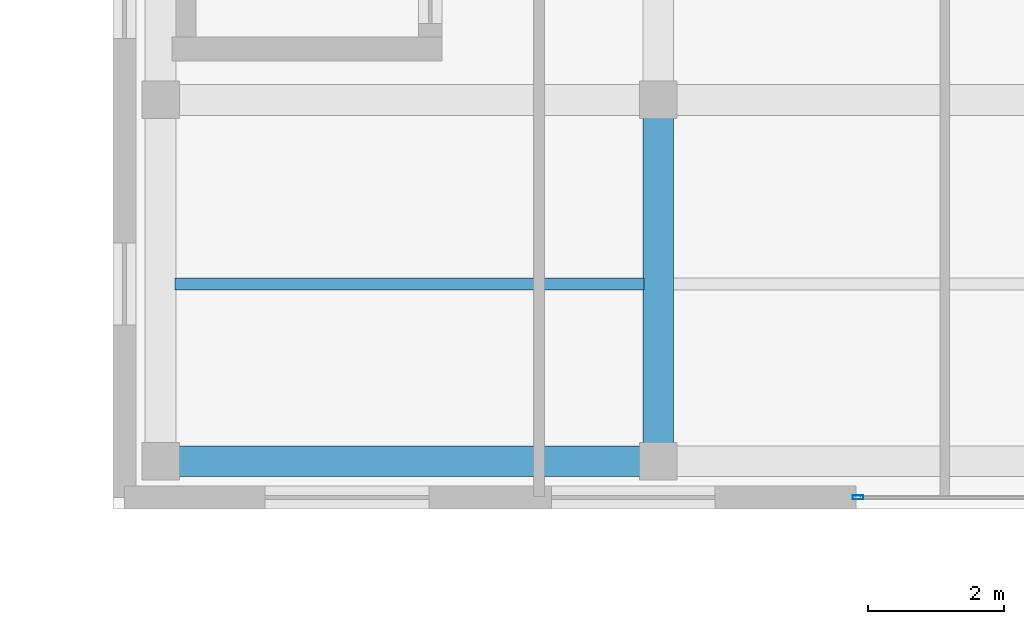
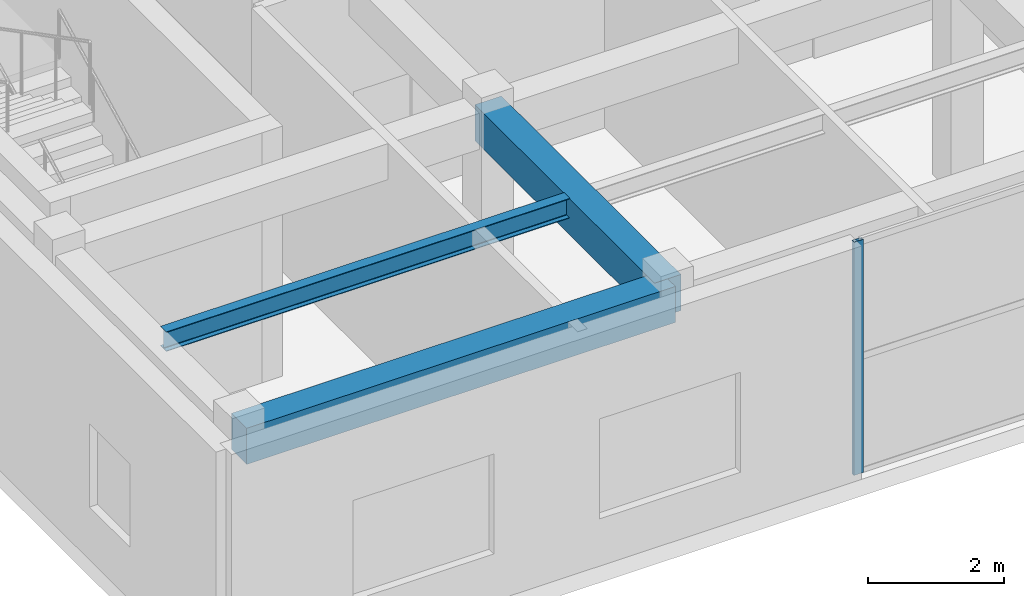
# One storey, part 10 of 26: 3 beams, 1 member, 1 element without a shape of its own.
"""IFC4 building model written with IfcOpenShell, lengths in metres."""

import ifcopenshell
import ifcopenshell.guid

model = None  # the IFC model being written
_history = None  # IfcOwnerHistory: only IFC2X3 demands one
_inside = {}  # id of a spatial element -> (the spatial element, [elements in it])
_under = {}  # id of a project, library or spatial element -> (it, [spatial elements below it])
_declared = {}  # id of a project -> (the project, [libraries it declares])
_typed = {}  # id of a type object -> (the type object, [elements of that type])
_made_of = {}  # id of a material, layer set ... -> (it, [elements and type objects made of it])


def new_model(schema):
    """Start an empty IFC model of exactly this schema.

    Asked for "IFC4X3", IfcOpenShell would pick the latest addendum, in which some entities
    have other attributes; the version numbers below select the first issue.
    IFC2X3 requires an IfcOwnerHistory on every rooted entity: one is made here for all.
    """
    global model, _history
    if schema == "IFC4X3":
        model = ifcopenshell.file(schema_version=(4, 3, 0, 0))
    else:
        model = ifcopenshell.file(schema=schema)
    _inside.clear()
    _under.clear()
    _declared.clear()
    _typed.clear()
    _made_of.clear()
    _history = None
    if model.schema == "IFC2X3":
        org = make("IfcOrganization", Name="unknown")
        user = make(
            "IfcPersonAndOrganization",
            ThePerson=make("IfcPerson", FamilyName="unknown"),
            TheOrganization=org,
        )
        app = make(
            "IfcApplication",
            ApplicationDeveloper=org,
            Version="unknown",
            ApplicationFullName="unknown",
            ApplicationIdentifier="unknown",
        )
        _history = make(
            "IfcOwnerHistory",
            OwningUser=user,
            OwningApplication=app,
            ChangeAction="ADDED",
            CreationDate=0,
        )
    return model


def make(cls, **values):
    """One entity of the class cls with the attributes given. An attribute that is None is left unset."""
    return model.create_entity(
        cls, **{name: value for name, value in values.items() if value is not None}
    )


def rooted(cls, **values):
    """An entity with a GlobalId (a new one), such as an element, a storey or a relation."""
    return make(cls, GlobalId=ifcopenshell.guid.new(), OwnerHistory=_history, **values)


def si_unit(unit_type, name, prefix=None):
    """IfcSIUnit, for example si_unit("LENGTHUNIT", "METRE", prefix="MILLI")."""
    return make("IfcSIUnit", UnitType=unit_type, Prefix=prefix, Name=name)


def assignment(units):
    """IfcUnitAssignment: the units of a project."""
    return None if units is None else make("IfcUnitAssignment", Units=units)


def point(xyz):
    """IfcCartesianPoint."""
    return None if xyz is None else make("IfcCartesianPoint", Coordinates=xyz)


def direction(xyz):
    """IfcDirection."""
    return None if xyz is None else make("IfcDirection", DirectionRatios=xyz)


def frame(location, z_axis=None, x_axis=None):
    """IfcAxis2Placement3D, a coordinate frame: its origin and axes. An axis left out is left unset."""
    return make(
        "IfcAxis2Placement3D",
        Location=point(location),
        Axis=direction(z_axis),
        RefDirection=direction(x_axis),
    )


def frame_2d(location, x_axis=None):
    """IfcAxis2Placement2D, a coordinate frame in the plane: its origin and x axis."""
    return make(
        "IfcAxis2Placement2D", Location=point(location), RefDirection=direction(x_axis)
    )


def origin():
    """The frame at (0, 0, 0) with its axes left unset."""
    return frame((0.0, 0.0, 0.0))


def origin_2d():
    """The frame at (0, 0) in the plane with its x axis left unset."""
    return frame_2d((0.0, 0.0))


def place(relative_to, where):
    """IfcLocalPlacement: puts the frame where relative to a parent placement (None: the world)."""
    return make(
        "IfcLocalPlacement", PlacementRelTo=relative_to, RelativePlacement=where
    )


def context(
    kind, dimensions, precision=None, world=None, true_north=None, identifier=None
):
    """IfcGeometricRepresentationContext, for example the 3D "Model" context."""
    return make(
        "IfcGeometricRepresentationContext",
        ContextIdentifier=identifier,
        ContextType=kind,
        CoordinateSpaceDimension=dimensions,
        Precision=precision,
        WorldCoordinateSystem=world,
        TrueNorth=true_north,
    )


def subcontext(parent, identifier, kind, view, scale=None):
    """IfcGeometricRepresentationSubContext, for example "Body" below "Model"."""
    return make(
        "IfcGeometricRepresentationSubContext",
        ContextIdentifier=identifier,
        ContextType=kind,
        ParentContext=parent,
        TargetScale=scale,
        TargetView=view,
    )


def project(units=None, contexts=None):
    """IfcProject with its units and contexts."""
    return rooted(
        "IfcProject",
        Name="project",
        RepresentationContexts=contexts,
        UnitsInContext=assignment(units),
    )


def spatial(cls, under=None, at=None, **own):
    """A site, building, storey or space (cls), placed at a placement, below another one or the project."""
    s = rooted(cls, ObjectPlacement=at, **own)
    if under is not None:
        _under.setdefault(under.id(), (under, []))[1].append(s)
    return s


def profile(cls, at=None, kind="AREA", **sizes):
    """A parametric profile (cls). Its sizes go by their IFC names, for example OverallWidth=200.0."""
    return make(cls, ProfileType=kind, Position=at, **sizes)


def rectangle(**sizes):
    """IfcRectangleProfileDef."""
    return profile("IfcRectangleProfileDef", **sizes)


def hollow_rectangle(**sizes):
    """IfcRectangleHollowProfileDef."""
    return profile("IfcRectangleHollowProfileDef", **sizes)


def i_section(**sizes):
    """IfcIShapeProfileDef."""
    return profile("IfcIShapeProfileDef", **sizes)


def extrude(swept, where, along, depth):
    """IfcExtrudedAreaSolid: the profile swept, set in the frame where, extruded along a direction by depth."""
    return make(
        "IfcExtrudedAreaSolid",
        SweptArea=swept,
        Position=where,
        ExtrudedDirection=direction(along),
        Depth=depth,
    )


def shape(context_of_items, identifier, shape_type, items):
    """IfcShapeRepresentation: the items that make up one representation, for example the "Body"."""
    return make(
        "IfcShapeRepresentation",
        ContextOfItems=context_of_items,
        RepresentationIdentifier=identifier,
        RepresentationType=shape_type,
        Items=items,
    )


def source(mapping_origin, context_of_items, identifier, shape_type, items):
    """IfcRepresentationMap: a shape defined once, which mapped items show again and again."""
    return make(
        "IfcRepresentationMap",
        MappingOrigin=mapping_origin,
        MappedRepresentation=shape(context_of_items, identifier, shape_type, items),
    )


def transform(
    local_origin,
    x_axis=None,
    y_axis=None,
    z_axis=None,
    scale=None,
    scale2=None,
    scale3=None,
    uniform=True,
):
    """IfcCartesianTransformationOperator3D, or its non-uniform kind. x_axis, y_axis, z_axis: its Axis1, 2, 3."""
    if uniform:
        return make(
            "IfcCartesianTransformationOperator3D",
            Axis1=direction(x_axis),
            Axis2=direction(y_axis),
            LocalOrigin=point(local_origin),
            Scale=scale,
            Axis3=direction(z_axis),
        )
    return make(
        "IfcCartesianTransformationOperator3DnonUniform",
        Axis1=direction(x_axis),
        Axis2=direction(y_axis),
        LocalOrigin=point(local_origin),
        Scale=scale,
        Axis3=direction(z_axis),
        Scale2=scale2,
        Scale3=scale3,
    )


def mapped(mapping_source, mapping_target):
    """IfcMappedItem: shows the shape of a source again, moved by a transform."""
    return make(
        "IfcMappedItem", MappingSource=mapping_source, MappingTarget=mapping_target
    )


def material(Name=None, Category=None):
    """IfcMaterial."""
    return make("IfcMaterial", Name=Name, Category=Category)


def layer(
    of_material, thickness, ventilated=None, Name=None, Category=None, Priority=None
):
    """IfcMaterialLayer: one layer of a wall or slab, of a material (None: an air gap)."""
    return make(
        "IfcMaterialLayer",
        Material=of_material,
        LayerThickness=thickness,
        IsVentilated=ventilated,
        Name=Name,
        Category=Category,
        Priority=Priority,
    )


def layer_set(layers, Name=None):
    """IfcMaterialLayerSet."""
    return make("IfcMaterialLayerSet", MaterialLayers=layers, LayerSetName=Name)


def material_profile(
    of_material, cross_section, Name=None, Category=None, Priority=None
):
    """IfcMaterialProfile: a cross section and its material."""
    return make(
        "IfcMaterialProfile",
        Name=Name,
        Material=of_material,
        Profile=cross_section,
        Priority=Priority,
        Category=Category,
    )


def profile_set(profiles, Name=None, composite=None):
    """IfcMaterialProfileSet."""
    return make(
        "IfcMaterialProfileSet",
        Name=Name,
        MaterialProfiles=profiles,
        CompositeProfile=composite,
    )


def made_of(thing, what):
    """Note that an element or type object is made of a material, layer set ...; save() writes the relation."""
    if what is not None:
        _made_of.setdefault(what.id(), (what, []))[1].append(thing)
    return thing


def type_object(cls, material=None, **own):
    """A type object (cls), such as IfcWallType, which elements share."""
    return made_of(rooted(cls, **own), material)


def element(
    cls,
    number,
    at=None,
    inside=None,
    cuts=None,
    type_object=None,
    material=None,
    context=None,
    identifier="Body",
    shape_type=None,
    held_by="IfcProductDefinitionShape",
    body=None,
    shapes=None,
    **own,
):
    """One element of the class cls, such as IfcWall. Its Tag is "e" and its number.

    at: its placement. inside: the storey or other place that contains it. cuts: it is an
    opening in that element (IfcRelVoidsElement). A single representation is given by context,
    identifier, shape_type and body (its items); several are given by shapes. held_by: the class
    of the entity that holds the representations. save() writes the other relations.
    """
    e = rooted(cls, Tag="e%d" % number, ObjectPlacement=at, **own)
    if body is not None:
        shapes = [shape(context, identifier, shape_type, body)]
    if shapes is not None:
        e.Representation = make(held_by, Representations=shapes)
    if inside is not None:
        _inside.setdefault(inside.id(), (inside, []))[1].append(e)
    if cuts is not None:
        rooted(
            "IfcRelVoidsElement", RelatingBuildingElement=cuts, RelatedOpeningElement=e
        )
    if type_object is not None:
        _typed.setdefault(type_object.id(), (type_object, []))[1].append(e)
    return made_of(e, material)


def aggregate(whole, parts):
    """IfcRelAggregates: a whole, such as a stair, and the parts it consists of."""
    return rooted("IfcRelAggregates", RelatingObject=whole, RelatedObjects=parts)


def save(model, path):
    """Write the relations noted so far, then the file.

    IfcRelAggregates (storeys below a building ...), IfcRelContainedInSpatialStructure (elements
    in a storey), IfcRelDefinesByType, IfcRelAssociatesMaterial and IfcRelDeclares: one each for
    every whole, place, type object, material and project.
    """
    for whole, parts in _under.values():
        aggregate(whole, parts)
    for where, things in _inside.values():
        rooted(
            "IfcRelContainedInSpatialStructure",
            RelatedElements=things,
            RelatingStructure=where,
        )
    for kind, things in _typed.values():
        rooted("IfcRelDefinesByType", RelatedObjects=things, RelatingType=kind)
    for what, things in _made_of.values():
        rooted("IfcRelAssociatesMaterial", RelatedObjects=things, RelatingMaterial=what)
    for by, libraries in _declared.values():
        rooted("IfcRelDeclares", RelatingContext=by, RelatedDefinitions=libraries)
    model.write(path)


model = new_model("IFC4")

# Units and contexts
model_context = context("Model", 3, precision=1e-05, world=origin(), true_north=direction((0.0, 1.0)))
body_context = subcontext(model_context, "Body", "Model", "MODEL_VIEW")
ifc_project = project(units=[si_unit("LENGTHUNIT", "METRE"), si_unit("AREAUNIT", "SQUARE_METRE"), si_unit("VOLUMEUNIT", "CUBIC_METRE"), si_unit("PLANEANGLEUNIT", "RADIAN"), si_unit("MASSUNIT", "GRAM", prefix="KILO")], contexts=[model_context])

# Site, building, storey
site_placement = place(None, origin())
site = spatial("IfcSite", under=ifc_project, at=site_placement, CompositionType="ELEMENT")
building_placement = place(site_placement, origin())
building = spatial("IfcBuilding", under=site, at=building_placement, Name="Khoralis Quay Care Tower", CompositionType="ELEMENT")
storey_placement = place(building_placement, frame((0.0, 0.0, 13.5)))
storey = spatial("IfcBuildingStorey", under=building, at=storey_placement, Name="L03", CompositionType="ELEMENT", Elevation=13.5)

# Beams
ifc_material_1 = material(Name="Concrete C40/50", Category="concrete")
ifc_material_profile_1 = material_profile(ifc_material_1, rectangle(XDim=0.449951171875, YDim=0.64990234375, at=origin_2d()), Name="Concrete C40/50")
ifc_profile_set_1 = profile_set([ifc_material_profile_1], Name="Concrete C40/50")
beam_type_1 = type_object("IfcBeamType", Name="BM-RC450X650", PredefinedType="BEAM", material=ifc_profile_set_1)
shared_shape_1 = source(origin(), body_context, "Body", "SweptSolid", [
    extrude(rectangle(XDim=0.449951171875, YDim=0.64990234375, at=origin_2d()), origin(), (0.0, 0.0, 1.0), 7.300048828125),
])
beam_1_placement = place(storey_placement, frame((68.699951171875, 6.699951171875, 3.875), z_axis=(1.0, 0.0, 0.0), x_axis=(0.0, 1.0, 0.0)))
element("IfcBeam", 1, at=beam_1_placement, inside=storey, type_object=beam_type_1, Name="BM-SCX-L03-01", PredefinedType="BEAM", context=body_context, shape_type="MappedRepresentation", body=[
    mapped(shared_shape_1, transform((0.0, 0.0, 0.0), scale=1.0)),
])
shared_shape_2 = source(origin(), body_context, "Body", "SweptSolid", [
    extrude(rectangle(XDim=0.449951171875, YDim=0.64990234375, at=origin_2d()), origin(), (0.0, 0.0, 1.0), 5.300048828125),
])
beam_2_placement = place(storey_placement, frame((76.0, 6.699951171875, 3.875), z_axis=(0.0, 1.0, 0.0), x_axis=(-1.0, 0.0, 0.0)))
element("IfcBeam", 2, at=beam_2_placement, inside=storey, type_object=beam_type_1, Name="BM-SCY-L03-30", PredefinedType="BEAM", context=body_context, shape_type="MappedRepresentation", body=[
    mapped(shared_shape_2, transform((0.0, 0.0, 0.0), scale=1.0)),
])
ifc_material_2 = material(Name="Steel S355", Category="steel")
ifc_material_profile_2 = material_profile(ifc_material_2, i_section(OverallWidth=0.1708984375, OverallDepth=0.35498046875, WebThickness=0.007080078125, FlangeThickness=0.01171875, FilletRadius=0.012939453125, at=origin_2d()), Name="Steel S355")
ifc_profile_set_2 = profile_set([ifc_material_profile_2], Name="Steel S355")
beam_type_2 = type_object("IfcBeamType", Name="BM-W360X51", PredefinedType="JOIST", material=ifc_profile_set_2)
shared_shape_3 = source(origin(), body_context, "Body", "SweptSolid", [
    extrude(i_section(OverallWidth=0.1708984375, OverallDepth=0.35498046875, WebThickness=0.007080078125, FlangeThickness=0.01171875, FilletRadius=0.012939453125, at=origin_2d()), origin(), (0.0, 0.0, 1.0), 6.8740234375),
])
beam_3_placement = place(storey_placement, frame((68.9130859375, 9.300048828125, 4.0224609375), z_axis=(1.0, 0.0, 0.0), x_axis=(0.0, 1.0, 0.0)))
element("IfcBeam", 3, at=beam_3_placement, inside=storey, type_object=beam_type_2, Name="BM-SCJ-L03-51", PredefinedType="JOIST", context=body_context, shape_type="MappedRepresentation", body=[
    mapped(shared_shape_3, transform((0.0, 0.0, 0.0), scale=1.0)),
])

# Curtain wall, member
ifc_material_3 = material(Name="Pale anodised aluminium", Category="aluminium")
ifc_layer = layer(ifc_material_3, 0.14990234375)
ifc_layer_set = layer_set([ifc_layer], Name="Pale anodised aluminium")
curtain_wall_type = type_object("IfcCurtainWallType", Name="CW-SYS-SCHOOL", PredefinedType="NOTDEFINED", material=ifc_layer_set)
curtain_wall_placement = place(storey_placement, origin())
curtain_wall = element("IfcCurtainWall", 4, at=curtain_wall_placement, inside=storey, type_object=curtain_wall_type, Name="L03 Unitised Curtain Wall CW-SCH-L03-E0", PredefinedType="NOTDEFINED")
ifc_material_profile_3 = material_profile(ifc_material_3, hollow_rectangle(XDim=0.06005859375, YDim=0.159912109375, WallThickness=0.00390625, at=origin_2d()), Name="Pale anodised aluminium")
ifc_profile_set_3 = profile_set([ifc_material_profile_3], Name="Pale anodised aluminium")
member_type = type_object("IfcMemberType", Name="CW-MUL-160", PredefinedType="MULLION", material=ifc_profile_set_3)
shared_shape_4 = source(origin(), body_context, "Body", "SweptSolid", [
    extrude(hollow_rectangle(XDim=0.06005859375, YDim=0.159912109375, WallThickness=0.00390625, at=origin_2d()), origin(), (0.0, 0.0, 1.0), 4.199951171875),
])
member_placement = place(storey_placement, frame((78.927978515625, 6.169921875, 0.0), z_axis=(0.0, 0.0, 1.0), x_axis=(0.0, 1.0, 0.0)))
member = element("IfcMember", 5, at=member_placement, type_object=member_type, Name="CW6 mullion 1", PredefinedType="MULLION", context=body_context, shape_type="MappedRepresentation", body=[
    mapped(shared_shape_4, transform((0.0, 0.0, 0.0), scale=1.0)),
])
aggregate(curtain_wall, [member])

save(model, "model.ifc")
